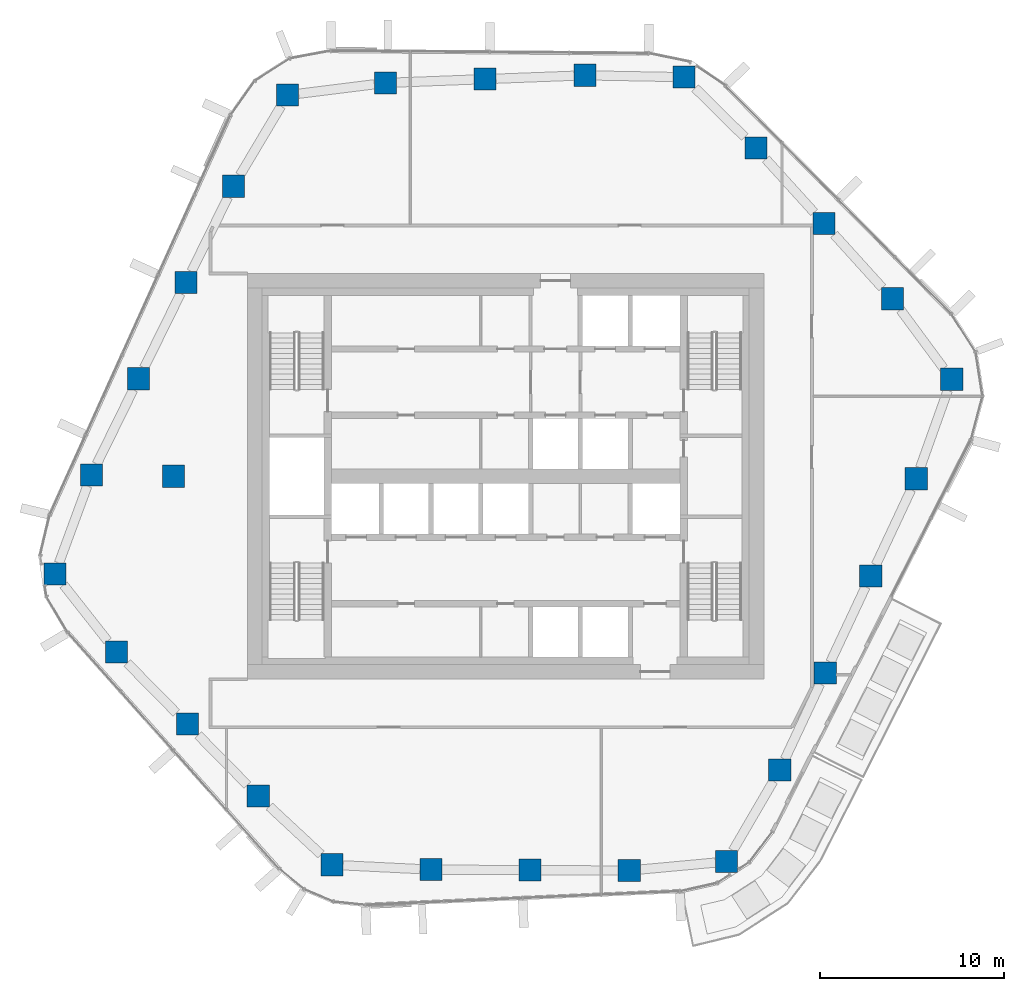
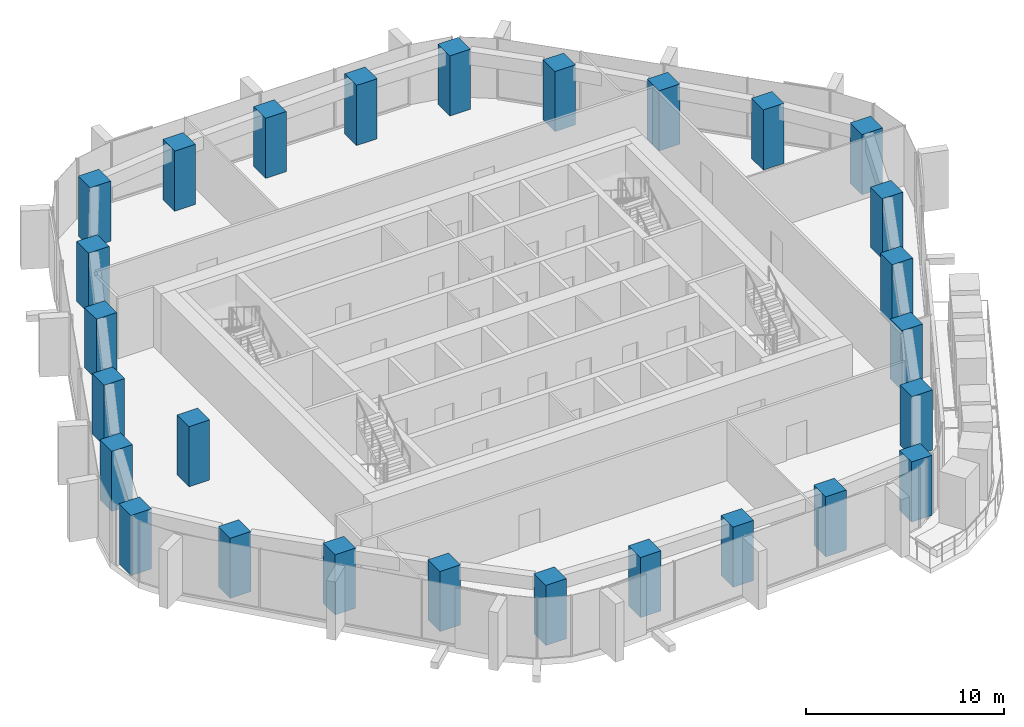
# One storey, part 1 of 17: 27 columns.
"""IFC4 building model written with IfcOpenShell, lengths in metres."""

from ifc_helpers import new_model, si_unit, direction, frame, origin, origin_2d, place, context, subcontext, project, spatial, rectangle, extrude, material, material_profile, profile_set, type_object, element, save


model = new_model("IFC4")

# Units and contexts
model_context = context("Model", 3, precision=1e-05, world=origin(), true_north=direction((0.0, 1.0)))
body_context = subcontext(model_context, "Body", "Model", "MODEL_VIEW")
ifc_project = project(units=[si_unit("LENGTHUNIT", "METRE"), si_unit("AREAUNIT", "SQUARE_METRE"), si_unit("VOLUMEUNIT", "CUBIC_METRE"), si_unit("PLANEANGLEUNIT", "RADIAN"), si_unit("MASSUNIT", "GRAM", prefix="KILO")], contexts=[model_context])

# Site, building, storey
site_placement = place(None, origin())
site = spatial("IfcSite", under=ifc_project, at=site_placement, CompositionType="ELEMENT")
building_placement = place(site_placement, origin())
building = spatial("IfcBuilding", under=site, at=building_placement, Name="Dongbaek Canopy Tower", CompositionType="ELEMENT")
storey_placement = place(building_placement, frame((0.0, 0.0, 179.60009765625)))
storey = spatial("IfcBuildingStorey", under=building, at=storey_placement, Name="L39", CompositionType="ELEMENT", Elevation=179.60009765625)

# Columns
ifc_material = material(Name="Concrete C70", Category="concrete")
ifc_material_profile = material_profile(ifc_material, rectangle(XDim=1.199951171875, YDim=1.199951171875, at=origin_2d()), Name="RC COLUMN 1200x1200 C70")
ifc_profile_set = profile_set([ifc_material_profile], Name="Concrete C70")
column_type = type_object("IfcColumnType", Name="RC COLUMN 1200x1200 C70", PredefinedType="COLUMN", material=ifc_profile_set)
for number, where, z_axis, x_axis, name in (
    (1, (11.971923828125, -20.885009765625, 0.0), (0.0, 0.0, 1.0), (1.0, 0.0, 0.0), "COL:CZ3-01:L39"),
    (2, (6.697998046875, -21.3720703125, 0.0), (0.0, 0.0, 1.0), (1.0, 0.0, 0.0), "COL:CZ3-02:L39"),
    (3, (1.321044921875, -21.347900390625, 0.0), (0.0, 0.0, 1.0), (1.0, 0.0, 0.0), "COL:CZ3-03:L39"),
    (4, (-4.054931640625, -21.323974609375, 0.0), (0.0, 0.0, 1.0), (1.0, 0.0, 0.0), "COL:CZ3-04:L39"),
    (5, (-9.407958984375, -21.06103515625, 0.0), (0.0, 0.0, 1.0), (1.0, 0.0, 0.0), "COL:CZ3-05:L39"),
    (6, (-13.409912109375, -17.339111328125, 0.0), (0.0, 0.0, 1.0), (1.0, 0.0, 0.0), "COL:CZ3-06:L39"),
    (7, (-17.258056640625, -13.431884765625, 0.0), (0.0, 0.0, 1.0), (1.0, 0.0, 0.0), "COL:CZ3-07:L39"),
    (8, (-21.10595703125, -9.52490234375, 0.0), (0.0, 0.0, 1.0), (1.0, 0.0, 0.0), "COL:CZ3-08:L39"),
    (9, (-24.43505859375, -5.2939453125, 0.0), (0.0, 0.0, 1.0), (1.0, 0.0, 0.0), "COL:CZ3-09:L39"),
    (10, (-22.4619140625, 0.06689453125, 0.0), (0.0, 0.0, 1.0), (1.0, 0.0, 0.0), "COL:CZ3-10:L39"),
    (11, (-19.89599609375, 5.287109375, 0.0), (0.0, 0.0, 1.0), (1.0, 0.0, 0.0), "COL:CZ3-11:L39"),
    (12, (-17.327880859375, 10.5048828125, 0.0), (0.0, 0.0, 1.0), (1.0, 0.0, 0.0), "COL:CZ3-12:L39"),
    (13, (-14.761962890625, 15.72412109375, 0.0), (0.0, 0.0, 1.0), (1.0, 0.0, 0.0), "COL:CZ3-13:L39"),
    (14, (-11.822998046875, 20.660888671875, 0.0), (0.0, 0.0, 1.0), (1.0, 0.0, 0.0), "COL:CZ3-14:L39"),
    (15, (-6.52197265625, 21.322998046875, 0.0), (0.0, 0.0, 1.0), (1.0, 0.0, 0.0), "COL:CZ3-15:L39"),
    (16, (-1.113037109375, 21.530029296875, 0.0), (0.0, 0.0, 1.0), (1.0, 0.0, 0.0), "COL:CZ3-16:L39"),
    (17, (4.294921875, 21.736083984375, 0.0), (0.0, 0.0, 1.0), (1.0, 0.0, 0.0), "COL:CZ3-17:L39"),
    (18, (9.666015625, 21.635009765625, 0.0), (0.0, 0.0, 1.0), (1.0, 0.0, 0.0), "COL:CZ3-18:L39"),
    (19, (13.56005859375, 17.7919921875, 0.0), (0.0, 0.0, 1.0), (1.0, 0.0, 0.0), "COL:CZ3-19:L39"),
    (20, (17.260986328125, 13.7060546875, 0.0), (0.0, 0.0, 1.0), (1.0, 0.0, 0.0), "COL:CZ3-20:L39"),
    (21, (20.9599609375, 9.62109375, 0.0), (0.0, 0.0, 1.0), (1.0, 0.0, 0.0), "COL:CZ3-21:L39"),
    (22, (24.179931640625, 5.257080078125, 0.0), (0.0, 0.0, 1.0), (1.0, 0.0, 0.0), "COL:CZ3-22:L39"),
    (23, (22.25390625, -0.134033203125, 0.0), (0.0, 0.0, 1.0), (1.0, 0.0, 0.0), "COL:CZ3-23:L39"),
    (24, (19.7880859375, -5.39892578125, 0.0), (0.0, 0.0, 1.0), (1.0, 0.0, 0.0), "COL:CZ3-24:L39"),
    (25, (17.322021484375, -10.666015625, 0.0), (0.0, 0.0, 1.0), (1.0, 0.0, 0.0), "COL:CZ3-25:L39"),
    (26, (14.85498046875, -15.931884765625, 0.0), (0.0, 0.0, 1.0), (1.0, 0.0, 0.0), "COL:CZ3-26:L39"),
    (27, (-18.0, 0.0, 0.0), (0.0, 0.0, 1.0), (1.0, 0.0, 0.0), "COL:CIZ3-01:L39"),
):
    element("IfcColumn", number, at=place(storey_placement, frame(where, z_axis=z_axis, x_axis=x_axis)), inside=storey, type_object=column_type, Name=name, PredefinedType="COLUMN", context=body_context, shape_type="SweptSolid", body=[
        extrude(rectangle(XDim=1.199951171875, YDim=1.199951171875, at=origin_2d()), origin(), (0.0, 0.0, 1.0), 3.699951171875),
    ])

save(model, "model.ifc")
